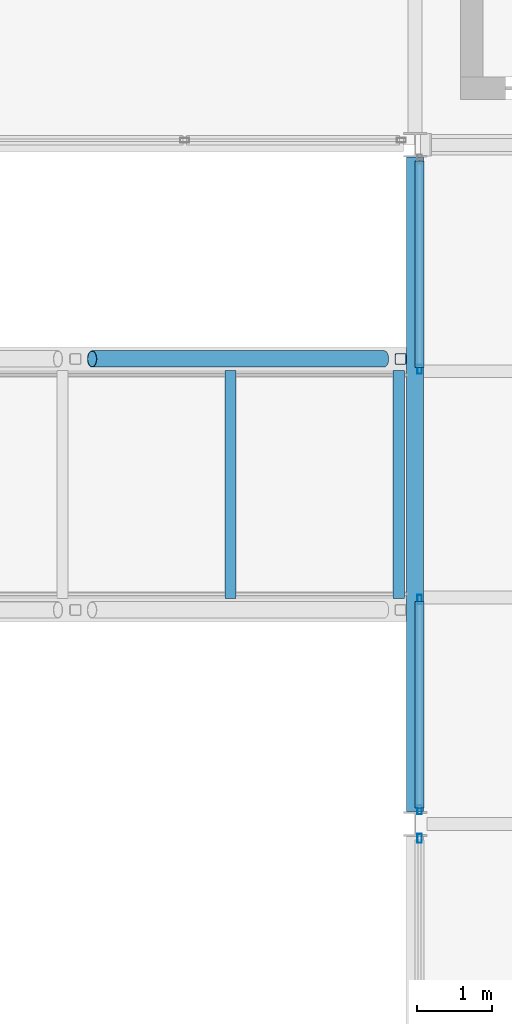
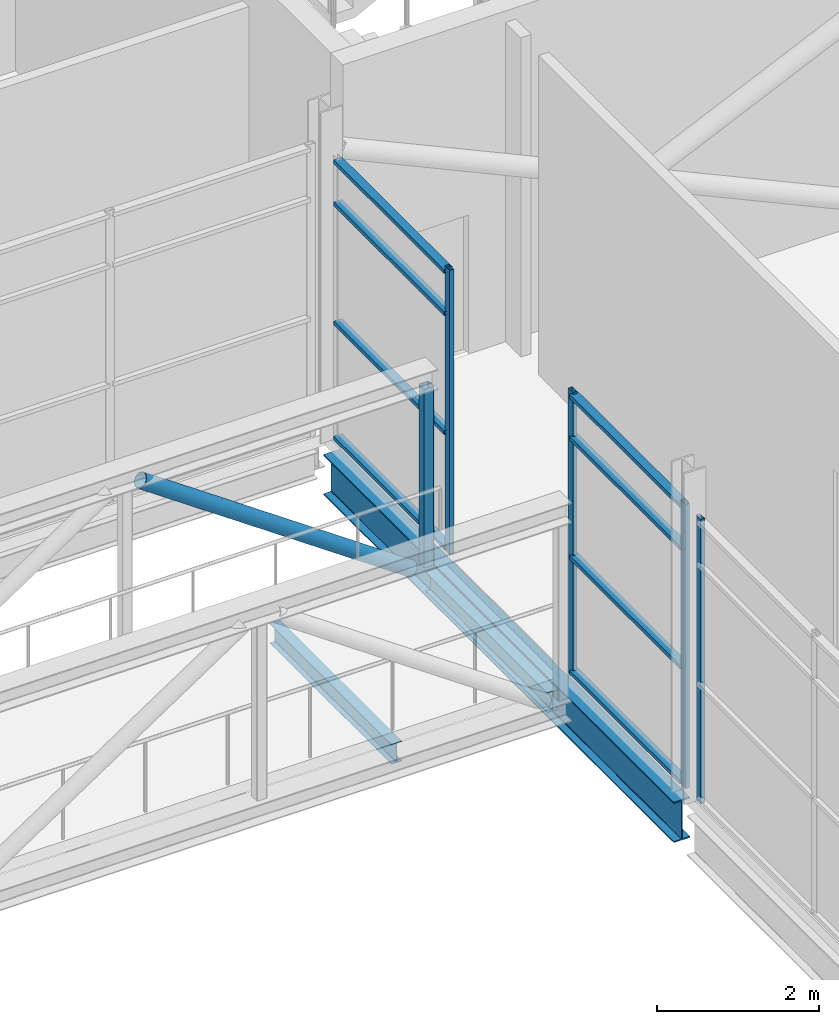
# One storey, part 65 of 115: 14 members, 3 beams, 3 elements without a shape of their own.
"""IFC4 building model written with IfcOpenShell, lengths in metres."""

import ifcopenshell
import ifcopenshell.guid

model = None  # the IFC model being written
_history = None  # IfcOwnerHistory: only IFC2X3 demands one
_inside = {}  # id of a spatial element -> (the spatial element, [elements in it])
_under = {}  # id of a project, library or spatial element -> (it, [spatial elements below it])
_declared = {}  # id of a project -> (the project, [libraries it declares])
_typed = {}  # id of a type object -> (the type object, [elements of that type])
_made_of = {}  # id of a material, layer set ... -> (it, [elements and type objects made of it])


def new_model(schema):
    """Start an empty IFC model of exactly this schema.

    Asked for "IFC4X3", IfcOpenShell would pick the latest addendum, in which some entities
    have other attributes; the version numbers below select the first issue.
    IFC2X3 requires an IfcOwnerHistory on every rooted entity: one is made here for all.
    """
    global model, _history
    if schema == "IFC4X3":
        model = ifcopenshell.file(schema_version=(4, 3, 0, 0))
    else:
        model = ifcopenshell.file(schema=schema)
    _inside.clear()
    _under.clear()
    _declared.clear()
    _typed.clear()
    _made_of.clear()
    _history = None
    if model.schema == "IFC2X3":
        org = make("IfcOrganization", Name="unknown")
        user = make(
            "IfcPersonAndOrganization",
            ThePerson=make("IfcPerson", FamilyName="unknown"),
            TheOrganization=org,
        )
        app = make(
            "IfcApplication",
            ApplicationDeveloper=org,
            Version="unknown",
            ApplicationFullName="unknown",
            ApplicationIdentifier="unknown",
        )
        _history = make(
            "IfcOwnerHistory",
            OwningUser=user,
            OwningApplication=app,
            ChangeAction="ADDED",
            CreationDate=0,
        )
    return model


def make(cls, **values):
    """One entity of the class cls with the attributes given. An attribute that is None is left unset."""
    return model.create_entity(
        cls, **{name: value for name, value in values.items() if value is not None}
    )


def rooted(cls, **values):
    """An entity with a GlobalId (a new one), such as an element, a storey or a relation."""
    return make(cls, GlobalId=ifcopenshell.guid.new(), OwnerHistory=_history, **values)


def si_unit(unit_type, name, prefix=None):
    """IfcSIUnit, for example si_unit("LENGTHUNIT", "METRE", prefix="MILLI")."""
    return make("IfcSIUnit", UnitType=unit_type, Prefix=prefix, Name=name)


def assignment(units):
    """IfcUnitAssignment: the units of a project."""
    return None if units is None else make("IfcUnitAssignment", Units=units)


def point(xyz):
    """IfcCartesianPoint."""
    return None if xyz is None else make("IfcCartesianPoint", Coordinates=xyz)


def direction(xyz):
    """IfcDirection."""
    return None if xyz is None else make("IfcDirection", DirectionRatios=xyz)


def frame(location, z_axis=None, x_axis=None):
    """IfcAxis2Placement3D, a coordinate frame: its origin and axes. An axis left out is left unset."""
    return make(
        "IfcAxis2Placement3D",
        Location=point(location),
        Axis=direction(z_axis),
        RefDirection=direction(x_axis),
    )


def frame_2d(location, x_axis=None):
    """IfcAxis2Placement2D, a coordinate frame in the plane: its origin and x axis."""
    return make(
        "IfcAxis2Placement2D", Location=point(location), RefDirection=direction(x_axis)
    )


def origin():
    """The frame at (0, 0, 0) with its axes left unset."""
    return frame((0.0, 0.0, 0.0))


def origin_2d():
    """The frame at (0, 0) in the plane with its x axis left unset."""
    return frame_2d((0.0, 0.0))


def place(relative_to, where):
    """IfcLocalPlacement: puts the frame where relative to a parent placement (None: the world)."""
    return make(
        "IfcLocalPlacement", PlacementRelTo=relative_to, RelativePlacement=where
    )


def context(
    kind, dimensions, precision=None, world=None, true_north=None, identifier=None
):
    """IfcGeometricRepresentationContext, for example the 3D "Model" context."""
    return make(
        "IfcGeometricRepresentationContext",
        ContextIdentifier=identifier,
        ContextType=kind,
        CoordinateSpaceDimension=dimensions,
        Precision=precision,
        WorldCoordinateSystem=world,
        TrueNorth=true_north,
    )


def subcontext(parent, identifier, kind, view, scale=None):
    """IfcGeometricRepresentationSubContext, for example "Body" below "Model"."""
    return make(
        "IfcGeometricRepresentationSubContext",
        ContextIdentifier=identifier,
        ContextType=kind,
        ParentContext=parent,
        TargetScale=scale,
        TargetView=view,
    )


def project(units=None, contexts=None):
    """IfcProject with its units and contexts."""
    return rooted(
        "IfcProject",
        Name="project",
        RepresentationContexts=contexts,
        UnitsInContext=assignment(units),
    )


def spatial(cls, under=None, at=None, **own):
    """A site, building, storey or space (cls), placed at a placement, below another one or the project."""
    s = rooted(cls, ObjectPlacement=at, **own)
    if under is not None:
        _under.setdefault(under.id(), (under, []))[1].append(s)
    return s


def profile(cls, at=None, kind="AREA", **sizes):
    """A parametric profile (cls). Its sizes go by their IFC names, for example OverallWidth=200.0."""
    return make(cls, ProfileType=kind, Position=at, **sizes)


def hollow_rectangle(**sizes):
    """IfcRectangleHollowProfileDef."""
    return profile("IfcRectangleHollowProfileDef", **sizes)


def hollow_circle(**sizes):
    """IfcCircleHollowProfileDef."""
    return profile("IfcCircleHollowProfileDef", **sizes)


def i_section(**sizes):
    """IfcIShapeProfileDef."""
    return profile("IfcIShapeProfileDef", **sizes)


def extrude(swept, where, along, depth):
    """IfcExtrudedAreaSolid: the profile swept, set in the frame where, extruded along a direction by depth."""
    return make(
        "IfcExtrudedAreaSolid",
        SweptArea=swept,
        Position=where,
        ExtrudedDirection=direction(along),
        Depth=depth,
    )


def shape(context_of_items, identifier, shape_type, items):
    """IfcShapeRepresentation: the items that make up one representation, for example the "Body"."""
    return make(
        "IfcShapeRepresentation",
        ContextOfItems=context_of_items,
        RepresentationIdentifier=identifier,
        RepresentationType=shape_type,
        Items=items,
    )


def material(Name=None, Category=None):
    """IfcMaterial."""
    return make("IfcMaterial", Name=Name, Category=Category)


def layer(
    of_material, thickness, ventilated=None, Name=None, Category=None, Priority=None
):
    """IfcMaterialLayer: one layer of a wall or slab, of a material (None: an air gap)."""
    return make(
        "IfcMaterialLayer",
        Material=of_material,
        LayerThickness=thickness,
        IsVentilated=ventilated,
        Name=Name,
        Category=Category,
        Priority=Priority,
    )


def layer_set(layers, Name=None):
    """IfcMaterialLayerSet."""
    return make("IfcMaterialLayerSet", MaterialLayers=layers, LayerSetName=Name)


def material_profile(
    of_material, cross_section, Name=None, Category=None, Priority=None
):
    """IfcMaterialProfile: a cross section and its material."""
    return make(
        "IfcMaterialProfile",
        Name=Name,
        Material=of_material,
        Profile=cross_section,
        Priority=Priority,
        Category=Category,
    )


def profile_set(profiles, Name=None, composite=None):
    """IfcMaterialProfileSet."""
    return make(
        "IfcMaterialProfileSet",
        Name=Name,
        MaterialProfiles=profiles,
        CompositeProfile=composite,
    )


def made_of(thing, what):
    """Note that an element or type object is made of a material, layer set ...; save() writes the relation."""
    if what is not None:
        _made_of.setdefault(what.id(), (what, []))[1].append(thing)
    return thing


def type_object(cls, material=None, **own):
    """A type object (cls), such as IfcWallType, which elements share."""
    return made_of(rooted(cls, **own), material)


def element(
    cls,
    number,
    at=None,
    inside=None,
    cuts=None,
    type_object=None,
    material=None,
    context=None,
    identifier="Body",
    shape_type=None,
    held_by="IfcProductDefinitionShape",
    body=None,
    shapes=None,
    **own,
):
    """One element of the class cls, such as IfcWall. Its Tag is "e" and its number.

    at: its placement. inside: the storey or other place that contains it. cuts: it is an
    opening in that element (IfcRelVoidsElement). A single representation is given by context,
    identifier, shape_type and body (its items); several are given by shapes. held_by: the class
    of the entity that holds the representations. save() writes the other relations.
    """
    e = rooted(cls, Tag="e%d" % number, ObjectPlacement=at, **own)
    if body is not None:
        shapes = [shape(context, identifier, shape_type, body)]
    if shapes is not None:
        e.Representation = make(held_by, Representations=shapes)
    if inside is not None:
        _inside.setdefault(inside.id(), (inside, []))[1].append(e)
    if cuts is not None:
        rooted(
            "IfcRelVoidsElement", RelatingBuildingElement=cuts, RelatedOpeningElement=e
        )
    if type_object is not None:
        _typed.setdefault(type_object.id(), (type_object, []))[1].append(e)
    return made_of(e, material)


def aggregate(whole, parts):
    """IfcRelAggregates: a whole, such as a stair, and the parts it consists of."""
    return rooted("IfcRelAggregates", RelatingObject=whole, RelatedObjects=parts)


def save(model, path):
    """Write the relations noted so far, then the file.

    IfcRelAggregates (storeys below a building ...), IfcRelContainedInSpatialStructure (elements
    in a storey), IfcRelDefinesByType, IfcRelAssociatesMaterial and IfcRelDeclares: one each for
    every whole, place, type object, material and project.
    """
    for whole, parts in _under.values():
        aggregate(whole, parts)
    for where, things in _inside.values():
        rooted(
            "IfcRelContainedInSpatialStructure",
            RelatedElements=things,
            RelatingStructure=where,
        )
    for kind, things in _typed.values():
        rooted("IfcRelDefinesByType", RelatedObjects=things, RelatingType=kind)
    for what, things in _made_of.values():
        rooted("IfcRelAssociatesMaterial", RelatedObjects=things, RelatingMaterial=what)
    for by, libraries in _declared.values():
        rooted("IfcRelDeclares", RelatingContext=by, RelatedDefinitions=libraries)
    model.write(path)


model = new_model("IFC4")

# Units and contexts
model_context = context("Model", 3, precision=1e-05, world=origin(), true_north=direction((0.0, 1.0)))
body_context = subcontext(model_context, "Body", "Model", "MODEL_VIEW")
ifc_project = project(units=[si_unit("LENGTHUNIT", "METRE"), si_unit("AREAUNIT", "SQUARE_METRE"), si_unit("VOLUMEUNIT", "CUBIC_METRE"), si_unit("PLANEANGLEUNIT", "RADIAN"), si_unit("MASSUNIT", "GRAM", prefix="KILO")], contexts=[model_context])

# Site, building, storey
site_placement = place(None, origin())
site = spatial("IfcSite", under=ifc_project, at=site_placement, CompositionType="ELEMENT")
building_placement = place(site_placement, origin())
building = spatial("IfcBuilding", under=site, at=building_placement, Name="Shorebreak Coast Museum", CompositionType="ELEMENT")
storey_placement = place(building_placement, frame((0.0, 0.0, 11.0)))
storey = spatial("IfcBuildingStorey", under=building, at=storey_placement, Name="L02", CompositionType="ELEMENT", Elevation=11.0)

# Beams
ifc_material_1 = material(Name="Steel Grade 300", Category="steel")
ifc_material_profile_1 = material_profile(ifc_material_1, i_section(OverallWidth=0.14892578125, OverallDepth=0.298095703125, WebThickness=0.005615234375, FlangeThickness=0.008056640625, FilletRadius=0.012939453125, at=origin_2d()), Name="310UB32.0")
ifc_profile_set_1 = profile_set([ifc_material_profile_1], Name="Steel Grade 300")
beam_type_1 = type_object("IfcBeamType", Name="Atrium bridge cross beam 310UB32.0", PredefinedType="BEAM", material=ifc_profile_set_1)
for number, where, z_axis, x_axis, name in (
    (1, (105.556884765625, 74.989990234375, -0.323974609375), (0.0, 1.0, 0.0), (-1.0, 0.0, 0.0), "Atrium bridge cross beam BR1 20"),
    (2, (107.785400390625, 74.989990234375, -0.323974609375), (0.0, 1.0, 0.0), (-1.0, 0.0, 0.0), "Atrium bridge cross beam BR1 21"),
):
    element("IfcBeam", number, at=place(storey_placement, frame(where, z_axis=z_axis, x_axis=x_axis)), inside=storey, type_object=beam_type_1, Name=name, PredefinedType="BEAM", context=body_context, shape_type="SweptSolid", body=[
        extrude(i_section(OverallWidth=0.14892578125, OverallDepth=0.298095703125, WebThickness=0.005615234375, FlangeThickness=0.008056640625, FilletRadius=0.012939453125, at=origin_2d()), origin(), (0.0, 0.0, 1.0), 3.02001953125),
    ])

# Members
ifc_material_2 = material(Name="Steel Grade C350L0", Category="steel")
ifc_material_profile_2 = material_profile(ifc_material_2, hollow_circle(Radius=0.109619140625, WallThickness=0.00830078125, at=origin_2d()), Name="219.1x8.2 CHS")
ifc_profile_set_2 = profile_set([ifc_material_profile_2], Name="Steel Grade C350L0")
member_type_1 = type_object("IfcMemberType", Name="Atrium bridge truss diagonal 219.1x8.2 CHS", PredefinedType="BRACE", material=ifc_profile_set_2)
member_1_placement = place(storey_placement, frame((107.589111328125, 78.16259765625, -0.175048828125), z_axis=(-0.820764739415, 0.0, 0.571266349904), x_axis=(0.0, -1.0, 0.0)))
element("IfcMember", 3, at=member_1_placement, inside=storey, type_object=member_type_1, Name="Atrium bridge truss BR1 side B diagonal D10", PredefinedType="BRACE", context=body_context, shape_type="SweptSolid", body=[
    extrude(hollow_circle(Radius=0.109619140625, WallThickness=0.00830078125, at=origin_2d()), origin(), (0.0, 0.0, 1.0), 4.712646484375),
])
ifc_material_3 = material(Name="Steel Grade C450L0", Category="steel")
ifc_material_profile_3 = material_profile(ifc_material_3, hollow_rectangle(XDim=0.14990234375, YDim=0.14990234375, WallThickness=0.009033203125, InnerFilletRadius=0.013427734375, OuterFilletRadius=0.0224609375, at=origin_2d()), Name="150x150x9.0 SHS")
ifc_profile_set_3 = profile_set([ifc_material_profile_3], Name="Steel Grade C450L0")
member_type_2 = type_object("IfcMemberType", Name="Atrium bridge truss strut 150x150x9.0 SHS", PredefinedType="STRUT", material=ifc_profile_set_3)
member_2_placement = place(storey_placement, frame((107.810546875, 78.16259765625, -0.175048828125), z_axis=(0.0, 0.0, 1.0), x_axis=(1.0, 0.0, 0.0)))
element("IfcMember", 4, at=member_2_placement, inside=storey, type_object=member_type_2, Name="Atrium bridge truss BR1 side B strut V11", PredefinedType="STRUT", context=body_context, shape_type="SweptSolid", body=[
    extrude(hollow_rectangle(XDim=0.14990234375, YDim=0.14990234375, WallThickness=0.009033203125, InnerFilletRadius=0.013427734375, OuterFilletRadius=0.0224609375, at=origin_2d()), origin(), (0.0, 0.0, 1.0), 2.692138671875),
])

# Beam
ifc_material_4 = material(Name="Steel Grade 300", Category="steel")
ifc_material_profile_4 = material_profile(ifc_material_4, i_section(OverallWidth=0.22900390625, OverallDepth=0.612060546875, WebThickness=0.011962890625, FlangeThickness=0.01953125, FilletRadius=0.013916015625, at=origin_2d()), Name="610UB125")
ifc_profile_set_4 = profile_set([ifc_material_profile_4], Name="Steel Grade 300")
beam_type_2 = type_object("IfcBeamType", Name="Bearing girder north-south 610UB125", PredefinedType="BEAM", material=ifc_profile_set_4)
beam_placement = place(storey_placement, frame((108.0, 72.16357421875, -0.48095703125), z_axis=(0.0, 1.0, 0.0), x_axis=(-1.0, 0.0, 0.0)))
element("IfcBeam", 5, at=beam_placement, inside=storey, type_object=beam_type_2, Name="Bearing girder north-south L02 13J", PredefinedType="BEAM", context=body_context, shape_type="SweptSolid", body=[
    extrude(i_section(OverallWidth=0.22900390625, OverallDepth=0.612060546875, WebThickness=0.011962890625, FlangeThickness=0.01953125, FilletRadius=0.013916015625, at=origin_2d()), origin(), (0.0, 0.0, 1.0), 8.6728515625),
])

# Curtain wall, member
ifc_material_5 = material(Name="Aluminium", Category="aluminium")
ifc_layer = layer(ifc_material_5, 0.1201171875)
ifc_layer_set = layer_set([ifc_layer], Name="Aluminium")
curtain_wall_type = type_object("IfcCurtainWallType", Name="Atrium fire screen", PredefinedType="NOTDEFINED", material=ifc_layer_set)
curtain_wall_1_placement = place(storey_placement, origin())
curtain_wall_1 = element("IfcCurtainWall", 6, at=curtain_wall_1_placement, inside=storey, type_object=curtain_wall_type, Name="Atrium screen L02 E 30", PredefinedType="NOTDEFINED")
ifc_material_6 = material(Name="Aluminium", Category="aluminium")
ifc_material_profile_5 = material_profile(ifc_material_6, hollow_rectangle(XDim=0.06005859375, YDim=0.1201171875, WallThickness=0.00341796875, at=origin_2d()), Name="AL 120x60 RHS")
ifc_profile_set_5 = profile_set([ifc_material_profile_5], Name="Aluminium")
member_type_3 = type_object("IfcMemberType", Name="Screen mullion 50 x 120", PredefinedType="MULLION", material=ifc_profile_set_5)
member_3_placement = place(storey_placement, frame((108.06005859375, 71.811279296875, 0.0), z_axis=(0.0, 0.0, 1.0), x_axis=(-1.0, 0.0, 0.0)))
member_3 = element("IfcMember", 7, at=member_3_placement, type_object=member_type_3, Name="CW4 mullion 4", PredefinedType="MULLION", context=body_context, shape_type="SweptSolid", body=[
    extrude(hollow_rectangle(XDim=0.06005859375, YDim=0.1201171875, WallThickness=0.00341796875, at=origin_2d()), origin(), (0.0, 0.0, 1.0), 4.296875),
])
aggregate(curtain_wall_1, [member_3])

# Curtain wall, members
curtain_wall_2_placement = place(storey_placement, origin())
curtain_wall_2 = element("IfcCurtainWall", 8, at=curtain_wall_2_placement, inside=storey, type_object=curtain_wall_type, Name="Atrium screen L02 E 31", PredefinedType="NOTDEFINED")
member_4_placement = place(storey_placement, frame((108.06005859375, 72.188720703125, 0.0), z_axis=(0.0, 0.0, 1.0), x_axis=(-1.0, 0.0, 0.0)))
member_4 = element("IfcMember", 9, at=member_4_placement, type_object=member_type_3, Name="CW5 mullion 1", PredefinedType="MULLION", context=body_context, shape_type="SweptSolid", body=[
    extrude(hollow_rectangle(XDim=0.06005859375, YDim=0.1201171875, WallThickness=0.00341796875, at=origin_2d()), origin(), (0.0, 0.0, 1.0), 4.296875),
])
member_5_placement = place(storey_placement, frame((108.06005859375, 74.97509765625, 0.0), z_axis=(0.0, 0.0, 1.0), x_axis=(-1.0, 0.0, 0.0)))
member_5 = element("IfcMember", 10, at=member_5_placement, type_object=member_type_3, Name="CW5 mullion 2", PredefinedType="MULLION", context=body_context, shape_type="SweptSolid", body=[
    extrude(hollow_rectangle(XDim=0.06005859375, YDim=0.1201171875, WallThickness=0.00341796875, at=origin_2d()), origin(), (0.0, 0.0, 1.0), 4.296875),
])

# Curtain wall, member
curtain_wall_3_placement = place(storey_placement, origin())
curtain_wall_3 = element("IfcCurtainWall", 11, at=curtain_wall_3_placement, inside=storey, type_object=curtain_wall_type, Name="Atrium screen L02 E 32", PredefinedType="NOTDEFINED")
member_6_placement = place(storey_placement, frame((108.06005859375, 78.02490234375, 0.0), z_axis=(0.0, 0.0, 1.0), x_axis=(-1.0, 0.0, 0.0)))
member_6 = element("IfcMember", 12, at=member_6_placement, type_object=member_type_3, Name="CW6 mullion 1", PredefinedType="MULLION", context=body_context, shape_type="SweptSolid", body=[
    extrude(hollow_rectangle(XDim=0.06005859375, YDim=0.1201171875, WallThickness=0.00341796875, at=origin_2d()), origin(), (0.0, 0.0, 1.0), 4.296875),
])

# Member
ifc_material_7 = material(Name="Aluminium", Category="aluminium")
ifc_material_profile_6 = material_profile(ifc_material_7, hollow_rectangle(XDim=0.1201171875, YDim=0.06005859375, WallThickness=0.00341796875, at=origin_2d()), Name="AL 60x120 RHS")
ifc_profile_set_6 = profile_set([ifc_material_profile_6], Name="Aluminium")
member_type_4 = type_object("IfcMemberType", Name="Screen transom 120 x 50", PredefinedType="USERDEFINED", material=ifc_profile_set_6)
member_7_placement = place(storey_placement, frame((108.06005859375, 72.213623046875, 0.06005859375), z_axis=(0.0, 1.0, 0.0), x_axis=(-1.0, 0.0, 0.0)))
member_7 = element("IfcMember", 13, at=member_7_placement, type_object=member_type_4, Name="CW5 transom 1.1", ObjectType="TRANSOM", PredefinedType="USERDEFINED", context=body_context, shape_type="SweptSolid", body=[
    extrude(hollow_rectangle(XDim=0.1201171875, YDim=0.06005859375, WallThickness=0.00341796875, at=origin_2d()), origin(), (0.0, 0.0, 1.0), 2.736328125),
])

member_8_placement = place(storey_placement, frame((108.06005859375, 72.213623046875, 1.800048828125), z_axis=(0.0, 1.0, 0.0), x_axis=(-1.0, 0.0, 0.0)))
member_8 = element("IfcMember", 14, at=member_8_placement, type_object=member_type_4, Name="CW5 transom 1.2", ObjectType="TRANSOM", PredefinedType="USERDEFINED", context=body_context, shape_type="SweptSolid", body=[
    extrude(hollow_rectangle(XDim=0.1201171875, YDim=0.06005859375, WallThickness=0.00341796875, at=origin_2d()), origin(), (0.0, 0.0, 1.0), 2.736328125),
])

member_9_placement = place(storey_placement, frame((108.06005859375, 72.213623046875, 3.60009765625), z_axis=(0.0, 1.0, 0.0), x_axis=(-1.0, 0.0, 0.0)))
member_9 = element("IfcMember", 15, at=member_9_placement, type_object=member_type_4, Name="CW5 transom 1.3", ObjectType="TRANSOM", PredefinedType="USERDEFINED", context=body_context, shape_type="SweptSolid", body=[
    extrude(hollow_rectangle(XDim=0.1201171875, YDim=0.06005859375, WallThickness=0.00341796875, at=origin_2d()), origin(), (0.0, 0.0, 1.0), 2.736328125),
])

member_10_placement = place(storey_placement, frame((108.06005859375, 72.213623046875, 4.23681640625), z_axis=(0.0, 1.0, 0.0), x_axis=(-1.0, 0.0, 0.0)))
member_10 = element("IfcMember", 16, at=member_10_placement, type_object=member_type_4, Name="CW5 transom 1.4", ObjectType="TRANSOM", PredefinedType="USERDEFINED", context=body_context, shape_type="SweptSolid", body=[
    extrude(hollow_rectangle(XDim=0.1201171875, YDim=0.06005859375, WallThickness=0.00341796875, at=origin_2d()), origin(), (0.0, 0.0, 1.0), 2.736328125),
])

aggregate(curtain_wall_2, [member_4, member_5, member_7, member_8, member_9, member_10])

member_11_placement = place(storey_placement, frame((108.06005859375, 78.050048828125, 0.06005859375), z_axis=(0.0, 1.0, 0.0), x_axis=(-1.0, 0.0, 0.0)))
member_11 = element("IfcMember", 17, at=member_11_placement, type_object=member_type_4, Name="CW6 transom 1.1", ObjectType="TRANSOM", PredefinedType="USERDEFINED", context=body_context, shape_type="SweptSolid", body=[
    extrude(hollow_rectangle(XDim=0.1201171875, YDim=0.06005859375, WallThickness=0.00341796875, at=origin_2d()), origin(), (0.0, 0.0, 1.0), 2.736328125),
])

member_12_placement = place(storey_placement, frame((108.06005859375, 78.050048828125, 1.800048828125), z_axis=(0.0, 1.0, 0.0), x_axis=(-1.0, 0.0, 0.0)))
member_12 = element("IfcMember", 18, at=member_12_placement, type_object=member_type_4, Name="CW6 transom 1.2", ObjectType="TRANSOM", PredefinedType="USERDEFINED", context=body_context, shape_type="SweptSolid", body=[
    extrude(hollow_rectangle(XDim=0.1201171875, YDim=0.06005859375, WallThickness=0.00341796875, at=origin_2d()), origin(), (0.0, 0.0, 1.0), 2.736328125),
])

member_13_placement = place(storey_placement, frame((108.06005859375, 78.050048828125, 3.60009765625), z_axis=(0.0, 1.0, 0.0), x_axis=(-1.0, 0.0, 0.0)))
member_13 = element("IfcMember", 19, at=member_13_placement, type_object=member_type_4, Name="CW6 transom 1.3", ObjectType="TRANSOM", PredefinedType="USERDEFINED", context=body_context, shape_type="SweptSolid", body=[
    extrude(hollow_rectangle(XDim=0.1201171875, YDim=0.06005859375, WallThickness=0.00341796875, at=origin_2d()), origin(), (0.0, 0.0, 1.0), 2.736328125),
])

member_14_placement = place(storey_placement, frame((108.06005859375, 78.050048828125, 4.23681640625), z_axis=(0.0, 1.0, 0.0), x_axis=(-1.0, 0.0, 0.0)))
member_14 = element("IfcMember", 20, at=member_14_placement, type_object=member_type_4, Name="CW6 transom 1.4", ObjectType="TRANSOM", PredefinedType="USERDEFINED", context=body_context, shape_type="SweptSolid", body=[
    extrude(hollow_rectangle(XDim=0.1201171875, YDim=0.06005859375, WallThickness=0.00341796875, at=origin_2d()), origin(), (0.0, 0.0, 1.0), 2.736328125),
])

aggregate(curtain_wall_3, [member_6, member_11, member_12, member_13, member_14])

save(model, "model.ifc")
